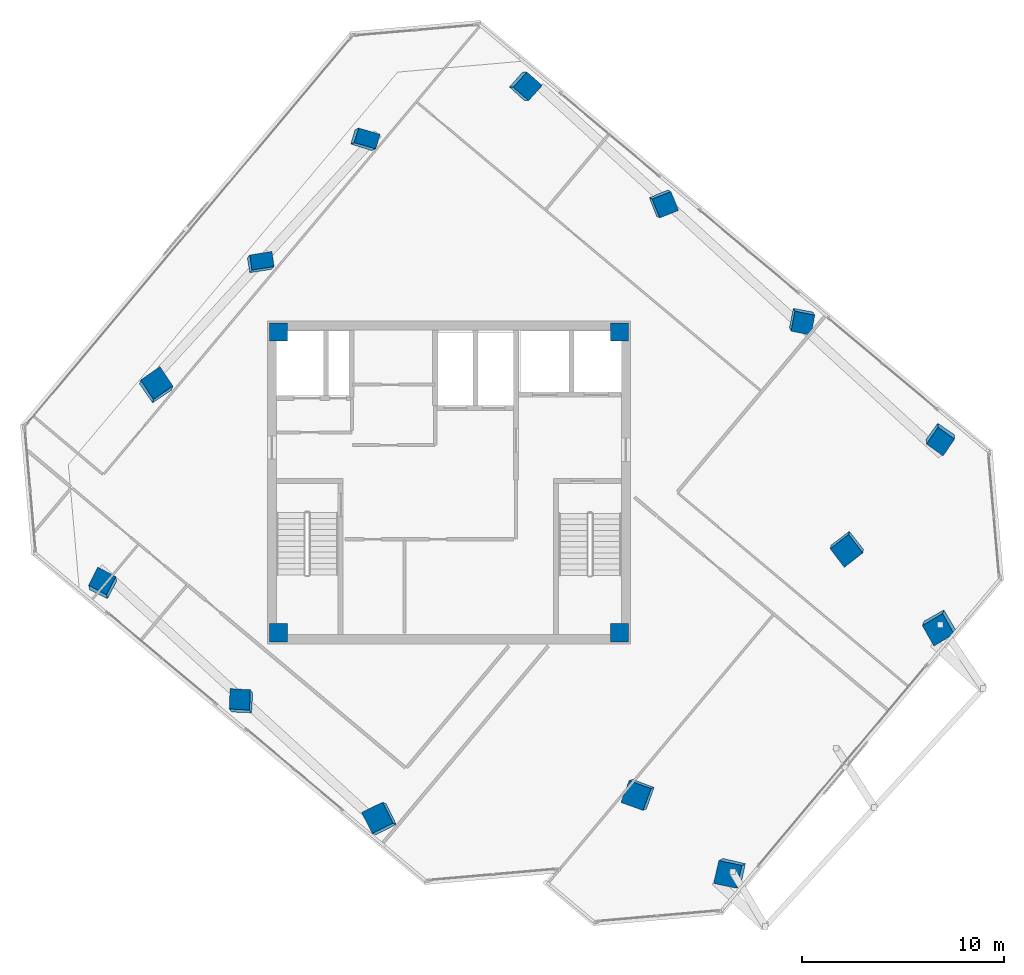
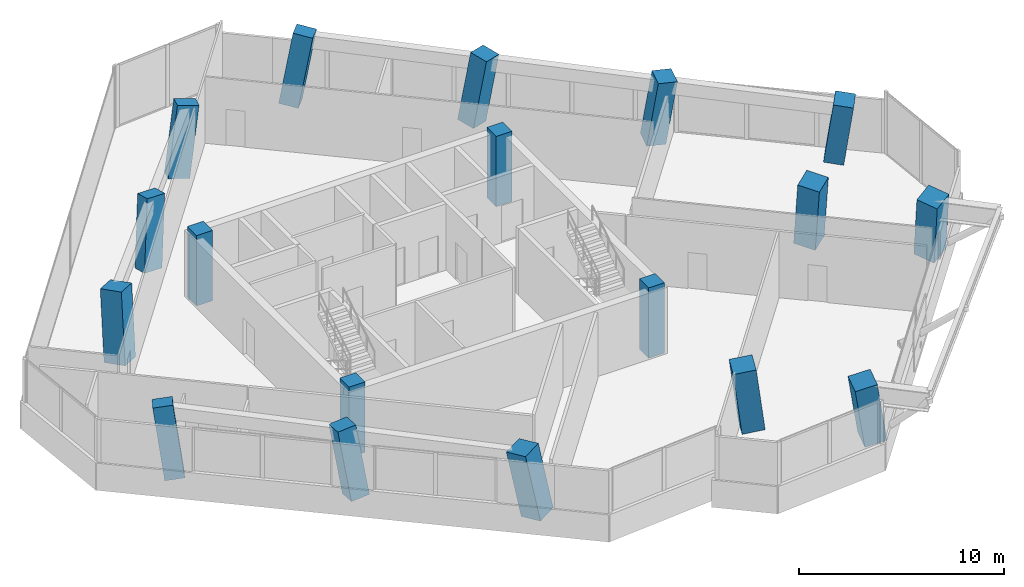
# One storey, part 1 of 18: 18 columns.
"""IFC4 building model written with IfcOpenShell, lengths in metres."""

from ifc_helpers import new_model, si_unit, direction, frame, origin, origin_2d, place, context, subcontext, project, spatial, rectangle, extrude, clip, halfspace, source, transform, mapped, material, material_profile, profile_set, type_object, element, save


model = new_model("IFC4")

# Units and contexts
model_context = context("Model", 3, precision=1e-05, world=origin(), true_north=direction((0.0, 1.0)))
body_context = subcontext(model_context, "Body", "Model", "MODEL_VIEW")
ifc_project = project(units=[si_unit("LENGTHUNIT", "METRE"), si_unit("AREAUNIT", "SQUARE_METRE"), si_unit("VOLUMEUNIT", "CUBIC_METRE"), si_unit("PLANEANGLEUNIT", "RADIAN"), si_unit("MASSUNIT", "GRAM", prefix="KILO")], contexts=[model_context])

# Site, building, storey
site_placement = place(None, origin())
site = spatial("IfcSite", under=ifc_project, at=site_placement, CompositionType="ELEMENT")
building_placement = place(site_placement, origin())
building = spatial("IfcBuilding", under=site, at=building_placement, Name="Torre Montelarca", CompositionType="ELEMENT")
storey_placement = place(building_placement, frame((0.0, 0.0, 224.800048828125)))
storey = spatial("IfcBuildingStorey", under=building, at=storey_placement, Name="L50", CompositionType="ELEMENT", Elevation=224.800048828125)

# Columns
ifc_material_1 = material(Name="Concrete C40/50", Category="concrete")
ifc_material_profile_1 = material_profile(ifc_material_1, rectangle(XDim=0.75, YDim=1.10009765625, at=origin_2d()), Name="RC1100X750", Category="concrete")
ifc_profile_set_1 = profile_set([ifc_material_profile_1], Name="Concrete C40/50")
column_type_1 = type_object("IfcColumnType", Name="COL-PIL1100-EXT", PredefinedType="PILASTER", material=ifc_profile_set_1)
column_1_placement = place(storey_placement, frame((8.59228515625, 42.8310546875, 0.0), z_axis=(0.113659068215, 0.129634322639, 0.985026171534), x_axis=(0.158585881385, -0.98110626756, 0.110819718375)))
element("IfcColumn", 1, at=column_1_placement, inside=storey, type_object=column_type_1, Name="L50 Column 1W/E", PredefinedType="PILASTER", context=body_context, shape_type="Clipping", body=[
    clip(clip(extrude(rectangle(XDim=0.75, YDim=1.10009765625, at=origin_2d()), origin(), (0.0, 0.0, 1.0), 4.263916015625), halfspace(frame((0.0, 0.0, 0.11669921875), z_axis=(0.0, 0.0, -1.0), x_axis=(1.0, 0.0, 0.0)), False)), halfspace(frame((0.0, 0.0, 4.147216796875), z_axis=(0.0, 0.0, 1.0), x_axis=(1.0, 0.0, 0.0)), False)),
])
column_2_placement = place(storey_placement, frame((13.734619140625, 48.959228515625, 0.0), z_axis=(0.174627926851, 0.075443829836, 0.981739943011), x_axis=(-0.27548877962, -0.953495918212, 0.122276188427)))
element("IfcColumn", 2, at=column_2_placement, inside=storey, type_object=column_type_1, Name="L50 Column 1W/F", PredefinedType="PILASTER", context=body_context, shape_type="Clipping", body=[
    clip(clip(extrude(rectangle(XDim=0.75, YDim=1.10009765625, at=origin_2d()), origin(), (0.0, 0.0, 1.0), 4.278076171875), halfspace(frame((0.0, 0.0, 0.129150390625), z_axis=(0.0, 0.0, -1.0), x_axis=(1.0, 0.0, 0.0)), False)), halfspace(frame((0.0, 0.0, 4.14892578125), z_axis=(0.0, 0.0, 1.0), x_axis=(1.0, 0.0, 0.0)), False)),
])
ifc_material_2 = material(Name="Concrete C55/67", Category="concrete")
ifc_material_profile_2 = material_profile(ifc_material_2, rectangle(XDim=1.0, YDim=1.0, at=origin_2d()), Name="RC1000X1000", Category="concrete")
ifc_profile_set_2 = profile_set([ifc_material_profile_2], Name="Concrete C55/67")
column_type_2 = type_object("IfcColumnType", Name="COL-RC1000-EXT", PredefinedType="COLUMN", material=ifc_profile_set_2)
column_3_placement = place(storey_placement, frame((0.868408203125, 26.85888671875, 0.0), z_axis=(-0.047566065754, 0.210357803919, 0.976466621917), x_axis=(0.885612426961, -0.443252303304, 0.138629090847)))
element("IfcColumn", 3, at=column_3_placement, inside=storey, type_object=column_type_2, Name="L50 Column 2/CS", PredefinedType="COLUMN", context=body_context, shape_type="Clipping", body=[
    clip(clip(extrude(rectangle(XDim=1.0, YDim=1.0, at=origin_2d()), origin(), (0.0, 0.0, 1.0), 4.30126953125), halfspace(frame((0.0, 0.0, 0.15625), z_axis=(0.0, 0.0, -1.0), x_axis=(1.0, 0.0, 0.0)), False)), halfspace(frame((0.0, 0.0, 4.14501953125), z_axis=(0.0, 0.0, 1.0), x_axis=(1.0, 0.0, 0.0)), False)),
])
column_4_placement = place(storey_placement, frame((21.66259765625, 51.640380859375, 0.0), z_axis=(0.199857053228, -0.006037289154, 0.979806465285), x_axis=(-0.652650442084, -0.74667859259, 0.128524238241)))
element("IfcColumn", 4, at=column_4_placement, inside=storey, type_object=column_type_2, Name="L50 Column 2/GN", PredefinedType="COLUMN", context=body_context, shape_type="Clipping", body=[
    clip(clip(extrude(rectangle(XDim=1.0, YDim=1.0, at=origin_2d()), origin(), (0.0, 0.0, 1.0), 4.28662109375), halfspace(frame((0.0, 0.0, 0.14453125), z_axis=(0.0, 0.0, -1.0), x_axis=(1.0, 0.0, 0.0)), False)), halfspace(frame((0.0, 0.0, 4.14208984375), z_axis=(0.0, 0.0, 1.0), x_axis=(1.0, 0.0, 0.0)), False)),
])
column_5_placement = place(storey_placement, frame((7.762939453125, 21.07373046875, 0.0), z_axis=(-0.108596865091, 0.142794298121, 0.983776656217), x_axis=(0.992538666329, -0.039617581376, 0.115314539793)))
element("IfcColumn", 5, at=column_5_placement, inside=storey, type_object=column_type_2, Name="L50 Column 3/CS", PredefinedType="COLUMN", context=body_context, shape_type="Clipping", body=[
    clip(clip(extrude(rectangle(XDim=1.0, YDim=1.0, at=origin_2d()), origin(), (0.0, 0.0, 1.0), 4.269287109375), halfspace(frame((0.0, 0.0, 0.129150390625), z_axis=(0.0, 0.0, -1.0), x_axis=(1.0, 0.0, 0.0)), False)), halfspace(frame((0.0, 0.0, 4.14013671875), z_axis=(0.0, 0.0, 1.0), x_axis=(1.0, 0.0, 0.0)), False)),
])
column_6_placement = place(storey_placement, frame((28.55712890625, 45.855224609375, 0.0), z_axis=(0.140479821095, -0.0754619954, 0.987203579367), x_axis=(-0.921521408534, -0.374555209537, 0.102502139601)))
element("IfcColumn", 6, at=column_6_placement, inside=storey, type_object=column_type_2, Name="L50 Column 3/GN", PredefinedType="COLUMN", context=body_context, shape_type="Clipping", body=[
    clip(clip(extrude(rectangle(XDim=1.0, YDim=1.0, at=origin_2d()), origin(), (0.0, 0.0, 1.0), 4.25439453125), halfspace(frame((0.0, 0.0, 0.114501953125), z_axis=(0.0, 0.0, -1.0), x_axis=(1.0, 0.0, 0.0)), False)), halfspace(frame((0.0, 0.0, 4.139892578125), z_axis=(0.0, 0.0, 1.0), x_axis=(1.0, 0.0, 0.0)), False)),
])
column_7_placement = place(storey_placement, frame((35.451416015625, 40.0703125, 0.0), z_axis=(0.079575811303, -0.144704141015, 0.986269943691), x_axis=(-0.976727213265, 0.186375919699, 0.106150682633)))
element("IfcColumn", 7, at=column_7_placement, inside=storey, type_object=column_type_2, Name="L50 Column 4/GN", PredefinedType="COLUMN", context=body_context, shape_type="Clipping", body=[
    clip(clip(extrude(rectangle(XDim=1.0, YDim=1.0, at=origin_2d()), origin(), (0.0, 0.0, 1.0), 4.25830078125), halfspace(frame((0.0, 0.0, 0.11865234375), z_axis=(0.0, 0.0, -1.0), x_axis=(1.0, 0.0, 0.0)), False)), halfspace(frame((0.0, 0.0, 4.1396484375), z_axis=(0.0, 0.0, 1.0), x_axis=(1.0, 0.0, 0.0)), False)),
])
column_8_placement = place(storey_placement, frame((42.345947265625, 34.28515625, 0.0), z_axis=(0.018572788535, -0.2120251364, 0.977087710014), x_axis=(-0.817928581317, 0.558816722632, 0.136809014223)))
element("IfcColumn", 8, at=column_8_placement, inside=storey, type_object=column_type_2, Name="L50 Column 5/GN", PredefinedType="COLUMN", context=body_context, shape_type="Clipping", body=[
    clip(clip(extrude(rectangle(XDim=1.0, YDim=1.0, at=origin_2d()), origin(), (0.0, 0.0, 1.0), 4.29833984375), halfspace(frame((0.0, 0.0, 0.154296875), z_axis=(0.0, 0.0, -1.0), x_axis=(1.0, 0.0, 0.0)), False)), halfspace(frame((0.0, 0.0, 4.14404296875), z_axis=(0.0, 0.0, 1.0), x_axis=(1.0, 0.0, 0.0)), False)),
])
ifc_material_profile_3 = material_profile(ifc_material_2, rectangle(XDim=1.14990234375, YDim=1.14990234375, at=origin_2d()), Name="RC1150X1150", Category="concrete")
ifc_profile_set_3 = profile_set([ifc_material_profile_3], Name="Concrete C55/67")
column_type_3 = type_object("IfcColumnType", Name="COL-RC1150", PredefinedType="COLUMN", material=ifc_profile_set_3)
for number, where, z_axis, x_axis, name in (
    (9, (27.46533203125, 16.55126953125, 0.0), (-0.159432457797, -0.057631711298, 0.985525178397), (0.335336836763, 0.935774801706, 0.108971218231), "L50 Column 5/D"),
    (10, (37.75, 28.807861328125, 0.0), (-0.03632076439, -0.165563105814, 0.985530141633), (-0.612506303648, 0.782921032807, 0.108952670366), "L50 Column 5/F"),
):
    element("IfcColumn", number, at=place(storey_placement, frame(where, z_axis=z_axis, x_axis=x_axis)), inside=storey, type_object=column_type_3, Name=name, PredefinedType="COLUMN", context=body_context, shape_type="Clipping", body=[
        clip(clip(extrude(rectangle(XDim=1.14990234375, YDim=1.14990234375, at=origin_2d()), origin(), (0.0, 0.0, 1.0), 4.26171875), halfspace(frame((0.0, 0.0, 0.14013671875), z_axis=(0.0, 0.0, -1.0), x_axis=(1.0, 0.0, 0.0)), False)), halfspace(frame((0.0, 0.0, 4.12158203125), z_axis=(0.0, 0.0, 1.0), x_axis=(1.0, 0.0, 0.0)), False)),
    ])
ifc_material_profile_4 = material_profile(ifc_material_2, rectangle(XDim=1.14990234375, YDim=1.14990234375, at=origin_2d()), Name="RC1150X1150", Category="concrete")
ifc_profile_set_4 = profile_set([ifc_material_profile_4], Name="Concrete C55/67")
column_type_4 = type_object("IfcColumnType", Name="COL-RC1150-EXT", PredefinedType="COLUMN", material=ifc_profile_set_4)
column_9_placement = place(storey_placement, frame((14.6572265625, 15.288818359375, 0.0), z_axis=(-0.169056664152, 0.073530221955, 0.982859680099), x_axis=(0.88488053523, 0.450492942198, 0.118501254847)))
element("IfcColumn", 11, at=column_9_placement, inside=storey, type_object=column_type_4, Name="L50 Column 4/CS", PredefinedType="COLUMN", context=body_context, shape_type="Clipping", body=[
    clip(clip(extrude(rectangle(XDim=1.14990234375, YDim=1.14990234375, at=origin_2d()), origin(), (0.0, 0.0, 1.0), 4.273193359375), halfspace(frame((0.0, 0.0, 0.152587890625), z_axis=(0.0, 0.0, -1.0), x_axis=(1.0, 0.0, 0.0)), False)), halfspace(frame((0.0, 0.0, 4.12060546875), z_axis=(0.0, 0.0, 1.0), x_axis=(1.0, 0.0, 0.0)), False)),
])
for number, where, z_axis, x_axis, name in (
    (12, (32.0615234375, 12.694580078125, 0.0), (-0.197770487281, -0.102681983654, 0.97485549934), (0.203147507847, 0.9686145337, 0.143237478199), "L50 Column 6/D"),
    (13, (42.34619140625, 24.951171875, 0.0), (-0.075991145191, -0.20949982384, 0.974851357728), (-0.506463303219, 0.850279137087, 0.143249124001), "L50 Column 6/F"),
):
    element("IfcColumn", number, at=place(storey_placement, frame(where, z_axis=z_axis, x_axis=x_axis)), inside=storey, type_object=column_type_4, Name=name, PredefinedType="COLUMN", context=body_context, shape_type="Clipping", body=[
        clip(clip(extrude(rectangle(XDim=1.14990234375, YDim=1.14990234375, at=origin_2d()), origin(), (0.0, 0.0, 1.0), 4.308349609375), halfspace(frame((0.0, 0.0, 0.18603515625), z_axis=(0.0, 0.0, -1.0), x_axis=(1.0, 0.0, 0.0)), False)), halfspace(frame((0.0, 0.0, 4.122314453125), z_axis=(0.0, 0.0, 1.0), x_axis=(1.0, 0.0, 0.0)), False)),
    ])
column_10_placement = place(storey_placement, frame((3.449951171875, 36.70263671875, 0.0), z_axis=(0.051931693656, 0.183016419292, 0.981737281284), x_axis=(0.564688401119, -0.816194452339, 0.122285017941)))
element("IfcColumn", 14, at=column_10_placement, inside=storey, type_object=column_type_4, Name="L50 Column 1W/D", PredefinedType="COLUMN", context=body_context, shape_type="Clipping", body=[
    clip(clip(extrude(rectangle(XDim=1.14990234375, YDim=1.14990234375, at=origin_2d()), origin(), (0.0, 0.0, 1.0), 4.278076171875), halfspace(frame((0.0, 0.0, 0.15771484375), z_axis=(0.0, 0.0, -1.0), x_axis=(1.0, 0.0, 0.0)), False)), halfspace(frame((0.0, 0.0, 4.120361328125), z_axis=(0.0, 0.0, 1.0), x_axis=(1.0, 0.0, 0.0)), False)),
])
ifc_material_profile_5 = material_profile(ifc_material_2, rectangle(XDim=0.89990234375, YDim=0.89990234375, at=origin_2d()), Name="RC900X900", Category="concrete")
ifc_profile_set_5 = profile_set([ifc_material_profile_5], Name="Concrete C55/67")
column_type_5 = type_object("IfcColumnType", Name="COL-RC900", PredefinedType="COLUMN", material=ifc_profile_set_5)
shared_shape = source(origin(), body_context, "Body", "SweptSolid", [
    extrude(rectangle(XDim=0.89990234375, YDim=0.89990234375, at=origin_2d()), origin(), (0.0, 0.0, 1.0), 4.198486328125),
])
for number, where, z_axis, x_axis, name in (
    (15, (9.550048828125, 24.550048828125, 0.000732421875), (0.0, 0.0, 1.0), (1.0, 0.0, 0.0), "L50 Plumb Core Corner Column 2D"),
    (16, (26.449951171875, 24.550048828125, 0.000732421875), (0.0, 0.0, 1.0), (1.0, 0.0, 0.0), "L50 Plumb Core Corner Column 4D"),
    (17, (9.550048828125, 39.449951171875, 0.000732421875), (0.0, 0.0, 1.0), (1.0, 0.0, 0.0), "L50 Plumb Core Corner Column 2F"),
    (18, (26.449951171875, 39.449951171875, 0.000732421875), (0.0, 0.0, 1.0), (1.0, 0.0, 0.0), "L50 Plumb Core Corner Column 4F"),
):
    element("IfcColumn", number, at=place(storey_placement, frame(where, z_axis=z_axis, x_axis=x_axis)), inside=storey, type_object=column_type_5, Name=name, PredefinedType="COLUMN", context=body_context, shape_type="MappedRepresentation", body=[
        mapped(shared_shape, transform((0.0, 0.0, 0.0), scale=1.0)),
    ])

save(model, "model.ifc")
